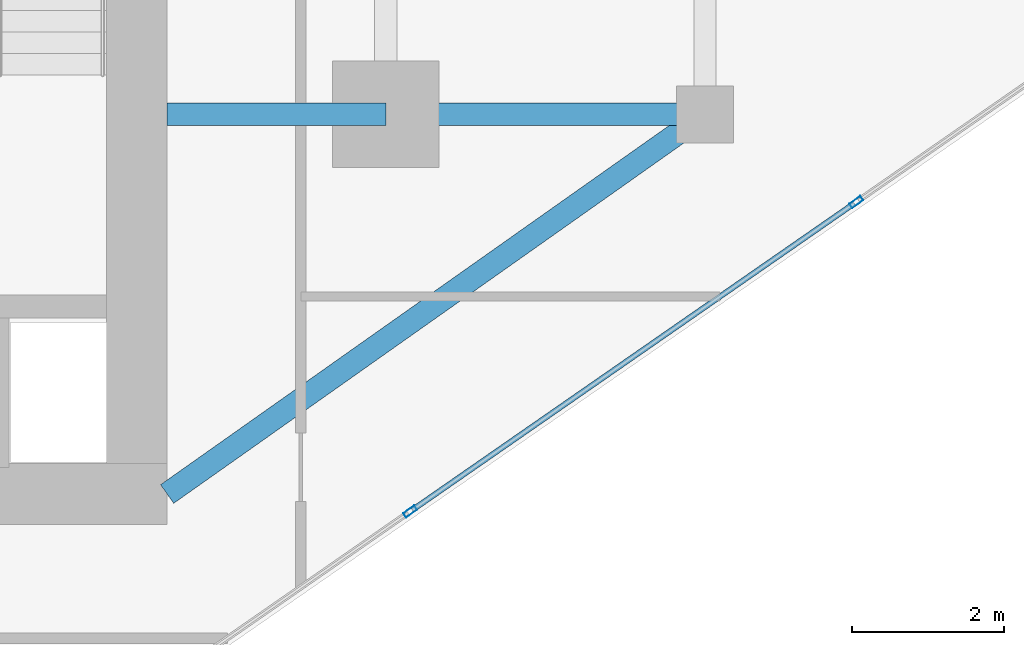
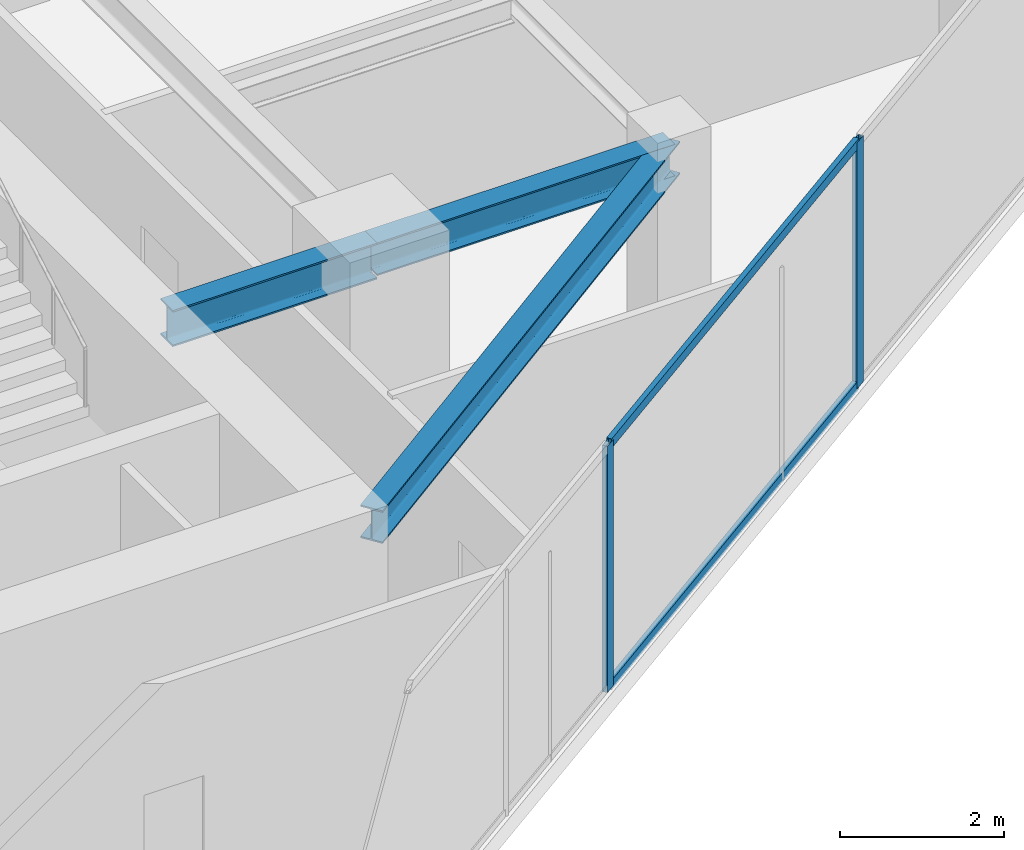
# One storey, part 8 of 21: 4 members, 3 beams, 1 element without a shape of its own.
"""IFC4 building model written with IfcOpenShell, lengths in metres."""

from ifc_helpers import new_model, si_unit, direction, frame, origin, origin_2d, place, context, subcontext, project, spatial, hollow_rectangle, i_section, extrude, source, transform, mapped, material, material_profile, profile_set, type_object, type_shapes, element, aggregate, save


model = new_model("IFC4")

# Units and contexts
model_context = context("Model", 3, precision=1e-05, world=origin(), true_north=direction((0.0, 1.0)))
body_context = subcontext(model_context, "Body", "Model", "MODEL_VIEW")
ifc_project = project(units=[si_unit("LENGTHUNIT", "METRE"), si_unit("AREAUNIT", "SQUARE_METRE"), si_unit("VOLUMEUNIT", "CUBIC_METRE"), si_unit("PLANEANGLEUNIT", "RADIAN"), si_unit("MASSUNIT", "GRAM", prefix="KILO")], contexts=[model_context])

# Site, building, storey
site_placement = place(None, origin())
site = spatial("IfcSite", under=ifc_project, at=site_placement, CompositionType="ELEMENT")
building_placement = place(site_placement, origin())
building = spatial("IfcBuilding", under=site, at=building_placement, Name="Krantzveldt Concourse Tower", CompositionType="ELEMENT")
storey_placement = place(building_placement, frame((0.0, 0.0, 271.35009765625)))
storey = spatial("IfcBuildingStorey", under=building, at=storey_placement, Name="L66", CompositionType="ELEMENT", Elevation=271.35009765625)

# Beams
ifc_material_1 = material(Name="Steel S355JR", Category="steel")
ifc_material_profile_1 = material_profile(ifc_material_1, i_section(OverallWidth=0.300048828125, OverallDepth=0.489990234375, WebThickness=0.011962890625, FlangeThickness=0.02294921875, FilletRadius=0.027099609375, at=origin_2d()), Name="Steel S355JR", Category="steel")
ifc_profile_set_1 = profile_set([ifc_material_profile_1], Name="Steel S355JR - HEA 500")
beam_type_1 = type_object("IfcBeamType", Name="BM-B-HEA500", PredefinedType="BEAM", material=ifc_profile_set_1)
shared_shape_1 = source(origin(), body_context, "Body", "SweptSolid", [
    extrude(i_section(OverallWidth=0.300048828125, OverallDepth=0.489990234375, WebThickness=0.011962890625, FlangeThickness=0.02294921875, FilletRadius=0.027099609375, at=origin_2d()), origin(), (0.0, 0.0, 1.0), 4.199951171875),
])
beam_1_placement = place(storey_placement, frame((46.800048828125, 15.89990234375, 3.4248046875), z_axis=(1.0, 0.0, 0.0), x_axis=(0.0, 1.0, 0.0)))
element("IfcBeam", 1, at=beam_1_placement, inside=storey, type_object=beam_type_1, Name="L66 Tower Girder BR-RR1", PredefinedType="BEAM", context=body_context, shape_type="MappedRepresentation", body=[
    mapped(shared_shape_1, transform((0.0, 0.0, 0.0), x_axis=(1.0, 0.0, 0.0), y_axis=(0.0, 1.0, 0.0), z_axis=(0.0, 0.0, 1.0), scale=1.0)),
])
shared_shape_2 = source(origin(), body_context, "Body", "SweptSolid", [
    extrude(i_section(OverallWidth=0.300048828125, OverallDepth=0.489990234375, WebThickness=0.011962890625, FlangeThickness=0.02294921875, FilletRadius=0.027099609375, at=origin_2d()), origin(), (0.0, 0.0, 1.0), 8.667724609375),
])
type_shapes(beam_type_1, [shared_shape_1, shared_shape_2])
beam_2_placement = place(storey_placement, frame((51.0, 15.89990234375, 3.4248046875), z_axis=(-0.81684294656, -0.576860122261, 0.0), x_axis=(0.576860122261, -0.81684294656, 0.0)))
element("IfcBeam", 2, at=beam_2_placement, inside=storey, type_object=beam_type_1, Name="L66 Tower Girder BR-CSE", PredefinedType="BEAM", context=body_context, shape_type="MappedRepresentation", body=[
    mapped(shared_shape_2, transform((0.0, 0.0, 0.0), x_axis=(1.0, 0.0, 0.0), y_axis=(0.0, 1.0, 0.0), z_axis=(0.0, 0.0, 1.0), scale=1.0)),
])
ifc_material_profile_2 = material_profile(ifc_material_1, i_section(OverallWidth=0.300048828125, OverallDepth=0.5400390625, WebThickness=0.012451171875, FlangeThickness=0.02392578125, FilletRadius=0.027099609375, at=origin_2d()), Name="Steel S355JR", Category="steel")
ifc_profile_set_2 = profile_set([ifc_material_profile_2], Name="Steel S355JR - HEA 550")
beam_type_2 = type_object("IfcBeamType", Name="BM-B-HEA550", PredefinedType="BEAM", material=ifc_profile_set_2)
shared_shape_3 = source(origin(), body_context, "Body", "SweptSolid", [
    extrude(i_section(OverallWidth=0.300048828125, OverallDepth=0.5400390625, WebThickness=0.012451171875, FlangeThickness=0.02392578125, FilletRadius=0.027099609375, at=origin_2d()), origin(), (0.0, 0.0, 1.0), 2.880126953125),
])
type_shapes(beam_type_2, [shared_shape_3])
beam_3_placement = place(storey_placement, frame((43.919921875, 15.89990234375, 3.39990234375), z_axis=(1.0, 0.0, 0.0), x_axis=(0.0, 1.0, 0.0)))
element("IfcBeam", 3, at=beam_3_placement, inside=storey, type_object=beam_type_2, Name="L66 Tower Girder BG-CE1", PredefinedType="BEAM", context=body_context, shape_type="MappedRepresentation", body=[
    mapped(shared_shape_3, transform((0.0, 0.0, 0.0), x_axis=(1.0, 0.0, 0.0), y_axis=(0.0, 1.0, 0.0), z_axis=(0.0, 0.0, 1.0), scale=1.0)),
])

# Curtain wall, members
ifc_material_2 = material(Name="Anodised aluminium 6063-T6", Category="aluminium")
curtain_wall_type = type_object("IfcCurtainWallType", Name="CW4", PredefinedType="USERDEFINED", material=ifc_material_2)
curtain_wall_placement = place(storey_placement, origin())
curtain_wall = element("IfcCurtainWall", 4, at=curtain_wall_placement, inside=storey, type_object=curtain_wall_type, Name="CW-L66-F11", ObjectType="UNITISED CURTAIN WALL", PredefinedType="USERDEFINED")
ifc_material_profile_3 = material_profile(ifc_material_2, hollow_rectangle(XDim=0.070068359375, YDim=0.179931640625, WallThickness=0.0048828125, at=origin_2d()), Name="Anodised aluminium 6063-T6", Category="aluminium")
ifc_profile_set_3 = profile_set([ifc_material_profile_3], Name="Anodised aluminium 6063-T6 - ALU-MULL 180x70x5")
member_type_1 = type_object("IfcMemberType", Name="CW-MUL-180", PredefinedType="MULLION", material=ifc_profile_set_3)
shared_shape_4 = source(origin(), body_context, "Body", "SweptSolid", [
    extrude(hollow_rectangle(XDim=0.070068359375, YDim=0.179931640625, WallThickness=0.0048828125, at=origin_2d()), origin(), (0.0, 0.0, 1.0), 3.669921875),
])
type_shapes(member_type_1, [shared_shape_4])
member_1_placement = place(storey_placement, frame((47.12060546875, 10.669677734375, 0.0), z_axis=(0.0, 0.0, 1.0), x_axis=(-0.569996627395, 0.821647031735, 0.0)))
member_1 = element("IfcMember", 5, at=member_1_placement, type_object=member_type_1, Name="CW-Z56 mullion 3", PredefinedType="MULLION", context=body_context, shape_type="MappedRepresentation", body=[
    mapped(shared_shape_4, transform((0.0, 0.0, 0.0), x_axis=(1.0, 0.0, 0.0), y_axis=(0.0, 1.0, 0.0), z_axis=(0.0, 0.0, 1.0), scale=1.0)),
])
member_2_placement = place(storey_placement, frame((52.995361328125, 14.7451171875, 0.0), z_axis=(0.0, 0.0, 1.0), x_axis=(-0.569996627395, 0.821647031735, 0.0)))
member_2 = element("IfcMember", 6, at=member_2_placement, type_object=member_type_1, Name="CW-Z56 mullion 4", PredefinedType="MULLION", context=body_context, shape_type="MappedRepresentation", body=[
    mapped(shared_shape_4, transform((0.0, 0.0, 0.0), x_axis=(1.0, 0.0, 0.0), y_axis=(0.0, 1.0, 0.0), z_axis=(0.0, 0.0, 1.0), scale=1.0)),
])
ifc_material_profile_4 = material_profile(ifc_material_2, hollow_rectangle(XDim=0.070068359375, YDim=0.139892578125, WallThickness=0.0048828125, at=origin_2d()), Name="Anodised aluminium 6063-T6", Category="aluminium")
ifc_profile_set_4 = profile_set([ifc_material_profile_4], Name="Anodised aluminium 6063-T6 - ALU-TRAN 140x70x5")
member_type_2 = type_object("IfcMemberType", Name="CW-TRN-150", PredefinedType="USERDEFINED", material=ifc_profile_set_4)
shared_shape_5 = source(origin(), body_context, "Body", "SweptSolid", [
    extrude(hollow_rectangle(XDim=0.070068359375, YDim=0.139892578125, WallThickness=0.0048828125, at=origin_2d()), origin(), (0.0, 0.0, 1.0), 7.079833984375),
])
type_shapes(member_type_2, [shared_shape_5])
member_3_placement = place(storey_placement, frame((47.1494140625, 10.689697265625, 0.034912109375), z_axis=(0.821653043491, 0.569987961383, 0.0), x_axis=(-0.569987961383, 0.821653043491, 0.0)))
member_3 = element("IfcMember", 7, at=member_3_placement, type_object=member_type_2, Name="CW-Z56 transom 3.1", ObjectType="TRANSOM", PredefinedType="USERDEFINED", context=body_context, shape_type="MappedRepresentation", body=[
    mapped(shared_shape_5, transform((0.0, 0.0, 0.0), x_axis=(1.0, 0.0, 0.0), y_axis=(0.0, 1.0, 0.0), z_axis=(0.0, 0.0, 1.0), scale=1.0)),
])
member_4_placement = place(storey_placement, frame((47.1494140625, 10.689697265625, 3.635009765625), z_axis=(0.821653043491, 0.569987961383, 0.0), x_axis=(-0.569987961383, 0.821653043491, 0.0)))
member_4 = element("IfcMember", 8, at=member_4_placement, type_object=member_type_2, Name="CW-Z56 transom 3.2", ObjectType="TRANSOM", PredefinedType="USERDEFINED", context=body_context, shape_type="MappedRepresentation", body=[
    mapped(shared_shape_5, transform((0.0, 0.0, 0.0), x_axis=(1.0, 0.0, 0.0), y_axis=(0.0, 1.0, 0.0), z_axis=(0.0, 0.0, 1.0), scale=1.0)),
])
aggregate(curtain_wall, [member_1, member_2, member_3, member_4])

save(model, "model.ifc")
